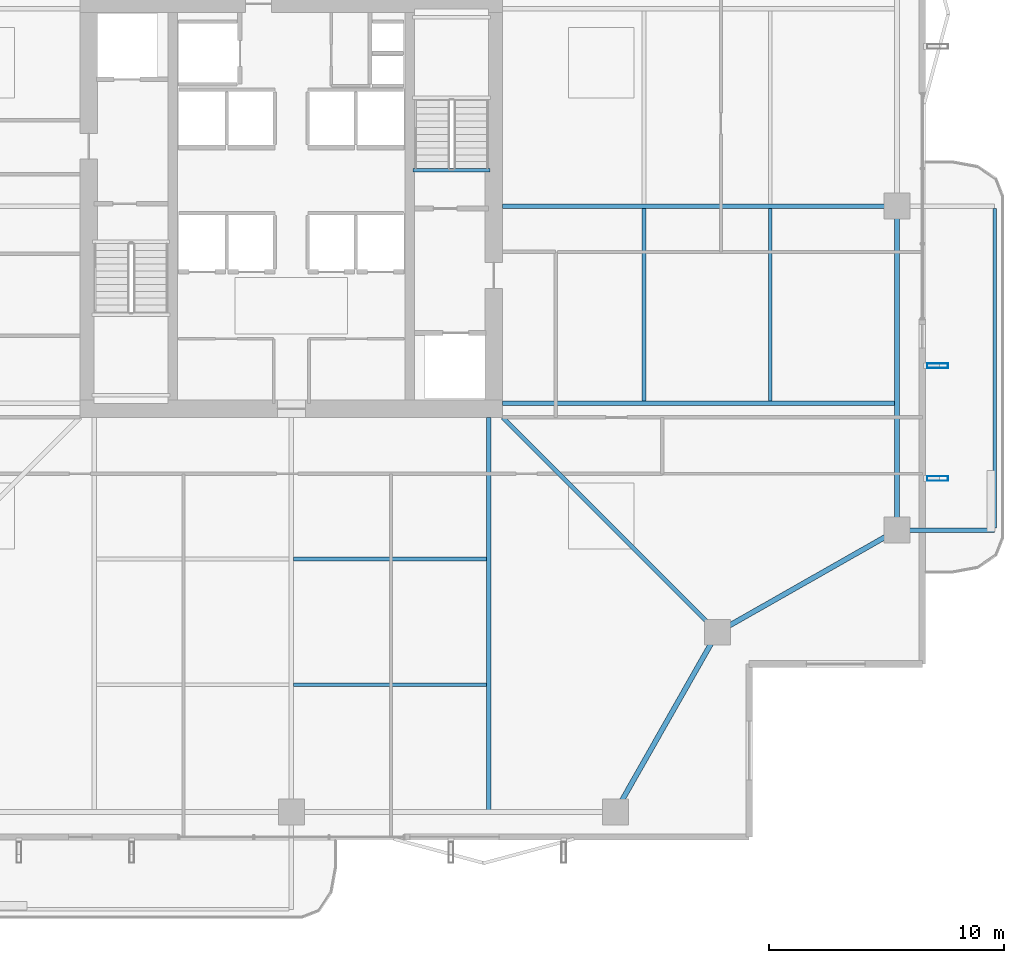
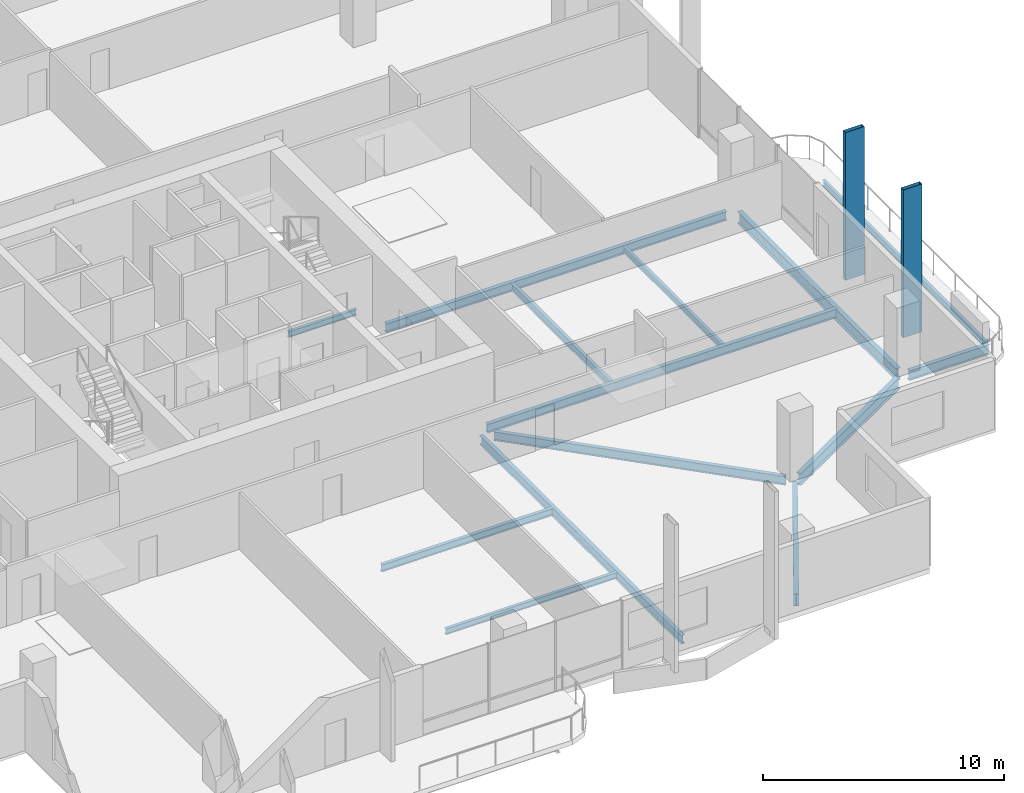
# One storey, part 7 of 24: 14 beams, 2 members.
"""IFC4 building model written with IfcOpenShell, lengths in metres."""

import ifcopenshell
import ifcopenshell.guid

model = None  # the IFC model being written
_history = None  # IfcOwnerHistory: only IFC2X3 demands one
_inside = {}  # id of a spatial element -> (the spatial element, [elements in it])
_under = {}  # id of a project, library or spatial element -> (it, [spatial elements below it])
_declared = {}  # id of a project -> (the project, [libraries it declares])
_typed = {}  # id of a type object -> (the type object, [elements of that type])
_made_of = {}  # id of a material, layer set ... -> (it, [elements and type objects made of it])


def new_model(schema):
    """Start an empty IFC model of exactly this schema.

    Asked for "IFC4X3", IfcOpenShell would pick the latest addendum, in which some entities
    have other attributes; the version numbers below select the first issue.
    IFC2X3 requires an IfcOwnerHistory on every rooted entity: one is made here for all.
    """
    global model, _history
    if schema == "IFC4X3":
        model = ifcopenshell.file(schema_version=(4, 3, 0, 0))
    else:
        model = ifcopenshell.file(schema=schema)
    _inside.clear()
    _under.clear()
    _declared.clear()
    _typed.clear()
    _made_of.clear()
    _history = None
    if model.schema == "IFC2X3":
        org = make("IfcOrganization", Name="unknown")
        user = make(
            "IfcPersonAndOrganization",
            ThePerson=make("IfcPerson", FamilyName="unknown"),
            TheOrganization=org,
        )
        app = make(
            "IfcApplication",
            ApplicationDeveloper=org,
            Version="unknown",
            ApplicationFullName="unknown",
            ApplicationIdentifier="unknown",
        )
        _history = make(
            "IfcOwnerHistory",
            OwningUser=user,
            OwningApplication=app,
            ChangeAction="ADDED",
            CreationDate=0,
        )
    return model


def make(cls, **values):
    """One entity of the class cls with the attributes given. An attribute that is None is left unset."""
    return model.create_entity(
        cls, **{name: value for name, value in values.items() if value is not None}
    )


def rooted(cls, **values):
    """An entity with a GlobalId (a new one), such as an element, a storey or a relation."""
    return make(cls, GlobalId=ifcopenshell.guid.new(), OwnerHistory=_history, **values)


def si_unit(unit_type, name, prefix=None):
    """IfcSIUnit, for example si_unit("LENGTHUNIT", "METRE", prefix="MILLI")."""
    return make("IfcSIUnit", UnitType=unit_type, Prefix=prefix, Name=name)


def assignment(units):
    """IfcUnitAssignment: the units of a project."""
    return None if units is None else make("IfcUnitAssignment", Units=units)


def point(xyz):
    """IfcCartesianPoint."""
    return None if xyz is None else make("IfcCartesianPoint", Coordinates=xyz)


def direction(xyz):
    """IfcDirection."""
    return None if xyz is None else make("IfcDirection", DirectionRatios=xyz)


def frame(location, z_axis=None, x_axis=None):
    """IfcAxis2Placement3D, a coordinate frame: its origin and axes. An axis left out is left unset."""
    return make(
        "IfcAxis2Placement3D",
        Location=point(location),
        Axis=direction(z_axis),
        RefDirection=direction(x_axis),
    )


def frame_2d(location, x_axis=None):
    """IfcAxis2Placement2D, a coordinate frame in the plane: its origin and x axis."""
    return make(
        "IfcAxis2Placement2D", Location=point(location), RefDirection=direction(x_axis)
    )


def origin():
    """The frame at (0, 0, 0) with its axes left unset."""
    return frame((0.0, 0.0, 0.0))


def origin_2d():
    """The frame at (0, 0) in the plane with its x axis left unset."""
    return frame_2d((0.0, 0.0))


def place(relative_to, where):
    """IfcLocalPlacement: puts the frame where relative to a parent placement (None: the world)."""
    return make(
        "IfcLocalPlacement", PlacementRelTo=relative_to, RelativePlacement=where
    )


def context(
    kind, dimensions, precision=None, world=None, true_north=None, identifier=None
):
    """IfcGeometricRepresentationContext, for example the 3D "Model" context."""
    return make(
        "IfcGeometricRepresentationContext",
        ContextIdentifier=identifier,
        ContextType=kind,
        CoordinateSpaceDimension=dimensions,
        Precision=precision,
        WorldCoordinateSystem=world,
        TrueNorth=true_north,
    )


def subcontext(parent, identifier, kind, view, scale=None):
    """IfcGeometricRepresentationSubContext, for example "Body" below "Model"."""
    return make(
        "IfcGeometricRepresentationSubContext",
        ContextIdentifier=identifier,
        ContextType=kind,
        ParentContext=parent,
        TargetScale=scale,
        TargetView=view,
    )


def project(units=None, contexts=None):
    """IfcProject with its units and contexts."""
    return rooted(
        "IfcProject",
        Name="project",
        RepresentationContexts=contexts,
        UnitsInContext=assignment(units),
    )


def spatial(cls, under=None, at=None, **own):
    """A site, building, storey or space (cls), placed at a placement, below another one or the project."""
    s = rooted(cls, ObjectPlacement=at, **own)
    if under is not None:
        _under.setdefault(under.id(), (under, []))[1].append(s)
    return s


def profile(cls, at=None, kind="AREA", **sizes):
    """A parametric profile (cls). Its sizes go by their IFC names, for example OverallWidth=200.0."""
    return make(cls, ProfileType=kind, Position=at, **sizes)


def hollow_rectangle(**sizes):
    """IfcRectangleHollowProfileDef."""
    return profile("IfcRectangleHollowProfileDef", **sizes)


def i_section(**sizes):
    """IfcIShapeProfileDef."""
    return profile("IfcIShapeProfileDef", **sizes)


def extrude(swept, where, along, depth):
    """IfcExtrudedAreaSolid: the profile swept, set in the frame where, extruded along a direction by depth."""
    return make(
        "IfcExtrudedAreaSolid",
        SweptArea=swept,
        Position=where,
        ExtrudedDirection=direction(along),
        Depth=depth,
    )


def shape(context_of_items, identifier, shape_type, items):
    """IfcShapeRepresentation: the items that make up one representation, for example the "Body"."""
    return make(
        "IfcShapeRepresentation",
        ContextOfItems=context_of_items,
        RepresentationIdentifier=identifier,
        RepresentationType=shape_type,
        Items=items,
    )


def material(Name=None, Category=None):
    """IfcMaterial."""
    return make("IfcMaterial", Name=Name, Category=Category)


def material_profile(
    of_material, cross_section, Name=None, Category=None, Priority=None
):
    """IfcMaterialProfile: a cross section and its material."""
    return make(
        "IfcMaterialProfile",
        Name=Name,
        Material=of_material,
        Profile=cross_section,
        Priority=Priority,
        Category=Category,
    )


def profile_set(profiles, Name=None, composite=None):
    """IfcMaterialProfileSet."""
    return make(
        "IfcMaterialProfileSet",
        Name=Name,
        MaterialProfiles=profiles,
        CompositeProfile=composite,
    )


def made_of(thing, what):
    """Note that an element or type object is made of a material, layer set ...; save() writes the relation."""
    if what is not None:
        _made_of.setdefault(what.id(), (what, []))[1].append(thing)
    return thing


def type_object(cls, material=None, **own):
    """A type object (cls), such as IfcWallType, which elements share."""
    return made_of(rooted(cls, **own), material)


def element(
    cls,
    number,
    at=None,
    inside=None,
    cuts=None,
    type_object=None,
    material=None,
    context=None,
    identifier="Body",
    shape_type=None,
    held_by="IfcProductDefinitionShape",
    body=None,
    shapes=None,
    **own,
):
    """One element of the class cls, such as IfcWall. Its Tag is "e" and its number.

    at: its placement. inside: the storey or other place that contains it. cuts: it is an
    opening in that element (IfcRelVoidsElement). A single representation is given by context,
    identifier, shape_type and body (its items); several are given by shapes. held_by: the class
    of the entity that holds the representations. save() writes the other relations.
    """
    e = rooted(cls, Tag="e%d" % number, ObjectPlacement=at, **own)
    if body is not None:
        shapes = [shape(context, identifier, shape_type, body)]
    if shapes is not None:
        e.Representation = make(held_by, Representations=shapes)
    if inside is not None:
        _inside.setdefault(inside.id(), (inside, []))[1].append(e)
    if cuts is not None:
        rooted(
            "IfcRelVoidsElement", RelatingBuildingElement=cuts, RelatedOpeningElement=e
        )
    if type_object is not None:
        _typed.setdefault(type_object.id(), (type_object, []))[1].append(e)
    return made_of(e, material)


def aggregate(whole, parts):
    """IfcRelAggregates: a whole, such as a stair, and the parts it consists of."""
    return rooted("IfcRelAggregates", RelatingObject=whole, RelatedObjects=parts)


def save(model, path):
    """Write the relations noted so far, then the file.

    IfcRelAggregates (storeys below a building ...), IfcRelContainedInSpatialStructure (elements
    in a storey), IfcRelDefinesByType, IfcRelAssociatesMaterial and IfcRelDeclares: one each for
    every whole, place, type object, material and project.
    """
    for whole, parts in _under.values():
        aggregate(whole, parts)
    for where, things in _inside.values():
        rooted(
            "IfcRelContainedInSpatialStructure",
            RelatedElements=things,
            RelatingStructure=where,
        )
    for kind, things in _typed.values():
        rooted("IfcRelDefinesByType", RelatedObjects=things, RelatingType=kind)
    for what, things in _made_of.values():
        rooted("IfcRelAssociatesMaterial", RelatedObjects=things, RelatingMaterial=what)
    for by, libraries in _declared.values():
        rooted("IfcRelDeclares", RelatingContext=by, RelatedDefinitions=libraries)
    model.write(path)


model = new_model("IFC4")

# Units and contexts
model_context = context("Model", 3, precision=1e-05, world=origin(), true_north=direction((0.0, 1.0)))
body_context = subcontext(model_context, "Body", "Model", "MODEL_VIEW")
ifc_project = project(units=[si_unit("LENGTHUNIT", "METRE"), si_unit("AREAUNIT", "SQUARE_METRE"), si_unit("VOLUMEUNIT", "CUBIC_METRE"), si_unit("PLANEANGLEUNIT", "RADIAN"), si_unit("MASSUNIT", "GRAM", prefix="KILO")], contexts=[model_context])

# Site, building, storey
site_placement = place(None, origin())
site = spatial("IfcSite", under=ifc_project, at=site_placement, CompositionType="ELEMENT")
building_placement = place(site_placement, origin())
building = spatial("IfcBuilding", under=site, at=building_placement, Name="Belovzor Exchange Tower", CompositionType="ELEMENT")
storey_placement = place(building_placement, frame((0.0, 0.0, 218.699951171875)))
storey = spatial("IfcBuildingStorey", under=building, at=storey_placement, Name="L54", CompositionType="ELEMENT", Elevation=218.699951171875)

# Beams
ifc_material_1 = material(Name="Steel S355", Category="steel")
ifc_material_profile_1 = material_profile(ifc_material_1, i_section(OverallWidth=0.199951171875, OverallDepth=0.5, WebThickness=0.01025390625, FlangeThickness=0.01611328125, at=origin_2d()))
ifc_profile_set_1 = profile_set([ifc_material_profile_1], Name="Steel S355")
beam_type_1 = type_object("IfcBeamType", Name="Planted Balcony Cantilever Beam IPE 500", PredefinedType="BEAM", material=ifc_profile_set_1)
beam_1_placement = place(storey_placement, frame((54.903076171875, 15.0, -0.5), z_axis=(1.0, 0.0, 0.0), x_axis=(0.0, 1.0, 0.0)))
element("IfcBeam", 1, at=beam_1_placement, inside=storey, type_object=beam_type_1, Name="BC-500 Planted Balcony Cantilever Beam IPE 500", PredefinedType="BEAM", context=body_context, shape_type="SweptSolid", body=[
    extrude(i_section(OverallWidth=0.199951171875, OverallDepth=0.5, WebThickness=0.01025390625, FlangeThickness=0.01611328125, at=origin_2d()), origin(), (0.0, 0.0, 1.0), 3.849853515625),
])
ifc_material_2 = material(Name="Steel S355", Category="steel")
ifc_material_profile_2 = material_profile(ifc_material_2, i_section(OverallWidth=0.14990234375, OverallDepth=0.300048828125, WebThickness=0.007080078125, FlangeThickness=0.0107421875, at=origin_2d()))
ifc_profile_set_2 = profile_set([ifc_material_profile_2], Name="Steel S355")
beam_type_2 = type_object("IfcBeamType", Name="Planted Balcony Fascia Edge Beam IPE 300", PredefinedType="BEAM", material=ifc_profile_set_2)
beam_2_placement = place(storey_placement, frame((58.7529296875, 15.10009765625, -0.39990234375), z_axis=(0.0, 1.0, 0.0), x_axis=(-1.0, 0.0, 0.0)))
element("IfcBeam", 2, at=beam_2_placement, inside=storey, type_object=beam_type_2, Name="BC-300 Planted Balcony Fascia Edge Beam IPE 300", PredefinedType="BEAM", context=body_context, shape_type="SweptSolid", body=[
    extrude(i_section(OverallWidth=0.14990234375, OverallDepth=0.300048828125, WebThickness=0.007080078125, FlangeThickness=0.0107421875, at=origin_2d()), origin(), (0.0, 0.0, 1.0), 13.599853515625),
])
ifc_material_3 = material(Name="Steel S355", Category="steel")
ifc_material_profile_3 = material_profile(ifc_material_3, i_section(OverallWidth=0.169921875, OverallDepth=0.360107421875, WebThickness=0.008056640625, FlangeThickness=0.0126953125, at=origin_2d()))
ifc_profile_set_3 = profile_set([ifc_material_profile_3], Name="Steel S355")
beam_type_3 = type_object("IfcBeamType", Name="Secondary Infill Floor Joist IPE 360", PredefinedType="BEAM", material=ifc_profile_set_3)
for number, where, z_axis, x_axis, name in (
    (3, (28.89501953125, 13.77197265625, -0.429931640625), (1.0, 0.0, 0.0), (0.0, 1.0, 0.0), "FJ-360 Secondary Infill Floor Joist IPE 360"),
    (4, (43.827880859375, 20.4951171875, -0.429931640625), (0.0, 1.0, 0.0), (-1.0, 0.0, 0.0), "FJ-360 Secondary Infill Floor Joist IPE 360"),
):
    element("IfcBeam", number, at=place(storey_placement, frame(where, z_axis=z_axis, x_axis=x_axis)), inside=storey, type_object=beam_type_3, Name=name, PredefinedType="BEAM", context=body_context, shape_type="SweptSolid", body=[
        extrude(i_section(OverallWidth=0.169921875, OverallDepth=0.360107421875, WebThickness=0.008056640625, FlangeThickness=0.0126953125, at=origin_2d()), origin(), (0.0, 0.0, 1.0), 8.2099609375),
    ])
ifc_material_4 = material(Name="Steel S355", Category="steel")
ifc_material_profile_4 = material_profile(ifc_material_4, i_section(OverallWidth=0.14990234375, OverallDepth=0.300048828125, WebThickness=0.007080078125, FlangeThickness=0.0107421875, at=origin_2d()))
ifc_profile_set_4 = profile_set([ifc_material_profile_4], Name="Steel S355")
beam_type_4 = type_object("IfcBeamType", Name="Secondary Trim Floor Joist IPE 300", PredefinedType="BEAM", material=ifc_profile_set_4)
beam_3_placement = place(storey_placement, frame((37.260009765625, 30.320068359375, -0.39990234375), z_axis=(-1.0, 0.0, 0.0), x_axis=(0.0, -1.0, 0.0)))
element("IfcBeam", 5, at=beam_3_placement, inside=storey, type_object=beam_type_4, Name="FJ-300 Secondary Trim Floor Joist IPE 300", PredefinedType="BEAM", context=body_context, shape_type="SweptSolid", body=[
    extrude(i_section(OverallWidth=0.14990234375, OverallDepth=0.300048828125, WebThickness=0.007080078125, FlangeThickness=0.0107421875, at=origin_2d()), origin(), (0.0, 0.0, 1.0), 3.27001953125),
])
for number, where, z_axis, x_axis, name in (
    (6, (28.89501953125, 8.4130859375, -0.39990234375), (1.0, 0.0, 0.0), (0.0, 1.0, 0.0), "FJ-300 Secondary Trim Floor Joist IPE 300"),
    (7, (49.18701171875, 20.4951171875, -0.39990234375), (0.0, 1.0, 0.0), (-1.0, 0.0, 0.0), "FJ-300 Secondary Trim Floor Joist IPE 300"),
):
    element("IfcBeam", number, at=place(storey_placement, frame(where, z_axis=z_axis, x_axis=x_axis)), inside=storey, type_object=beam_type_4, Name=name, PredefinedType="BEAM", context=body_context, shape_type="SweptSolid", body=[
        extrude(i_section(OverallWidth=0.14990234375, OverallDepth=0.300048828125, WebThickness=0.007080078125, FlangeThickness=0.0107421875, at=origin_2d()), origin(), (0.0, 0.0, 1.0), 8.2099609375),
    ])

# Members
ifc_material_5 = material(Name="Extruded Architectural Terracotta on Steel S355 Carrier", Category="masonry")
ifc_material_profile_5 = material_profile(ifc_material_5, hollow_rectangle(XDim=0.199951171875, YDim=0.89990234375, WallThickness=0.011962890625, at=origin_2d()))
ifc_profile_set_5 = profile_set([ifc_material_profile_5], Name="Extruded Architectural Terracotta on Steel S355 Carrier")
member_type = type_object("IfcMemberType", Name="Sweeping Terracotta Baguette Fin Assembly 950", PredefinedType="USERDEFINED", material=ifc_profile_set_5)
for number, where, z_axis, x_axis, name in (
    (8, (56.324951171875, 17.199951171875, -0.25), (0.0, 0.0, 1.0), (0.0, 1.0, 0.0), "FIN-TC095 Terracotta Facade Fin L54 E1"),
    (9, (56.324951171875, 22.0, -0.25), (0.0, 0.0, 1.0), (0.0, 1.0, 0.0), "FIN-TC095 Terracotta Facade Fin L54 E2"),
):
    element("IfcMember", number, at=place(storey_placement, frame(where, z_axis=z_axis, x_axis=x_axis)), inside=storey, type_object=member_type, Name=name, ObjectType="FIN", PredefinedType="USERDEFINED", context=body_context, shape_type="SweptSolid", body=[
        extrude(hollow_rectangle(XDim=0.199951171875, YDim=0.89990234375, WallThickness=0.011962890625, at=origin_2d()), origin(), (0.0, 0.0, 1.0), 7.5),
    ])

# Beams
ifc_material_6 = material(Name="Steel S355", Category="steel")
ifc_material_profile_6 = material_profile(ifc_material_6, i_section(OverallWidth=0.18994140625, OverallDepth=0.449951171875, WebThickness=0.009521484375, FlangeThickness=0.0146484375, at=origin_2d()))
ifc_profile_set_6 = profile_set([ifc_material_profile_6], Name="Steel S355")
beam_type_5 = type_object("IfcBeamType", Name="Zone 2-4 Radial Composite Floor Beam IPE 450", PredefinedType="BEAM", material=ifc_profile_set_6)
beam_4_placement = place(storey_placement, frame((37.199951171875, 19.800048828125, -0.474853515625), z_axis=(0.0, -1.0, 0.0), x_axis=(1.0, 0.0, 0.0)))
element("IfcBeam", 10, at=beam_4_placement, inside=storey, type_object=beam_type_5, Name="FB-450 Zone 2-4 Radial Composite Floor Beam IPE 450", PredefinedType="BEAM", context=body_context, shape_type="SweptSolid", body=[
    extrude(i_section(OverallWidth=0.18994140625, OverallDepth=0.449951171875, WebThickness=0.009521484375, FlangeThickness=0.0146484375, at=origin_2d()), origin(), (0.0, 0.0, 1.0), 16.7451171875),
])
beam_5_placement = place(storey_placement, frame((37.800048828125, 20.39990234375, -0.474853515625), z_axis=(1.0, 0.0, 0.0), x_axis=(0.0, 1.0, 0.0)))
element("IfcBeam", 11, at=beam_5_placement, inside=storey, type_object=beam_type_5, Name="FB-450 Zone 2-4 Radial Composite Floor Beam IPE 450", PredefinedType="BEAM", context=body_context, shape_type="SweptSolid", body=[
    extrude(i_section(OverallWidth=0.18994140625, OverallDepth=0.449951171875, WebThickness=0.009521484375, FlangeThickness=0.0146484375, at=origin_2d()), origin(), (0.0, 0.0, 1.0), 16.744873046875),
])
beam_6_placement = place(storey_placement, frame((37.800048828125, 28.800048828125, -0.474853515625), z_axis=(1.0, 0.0, 0.0), x_axis=(0.0, 1.0, 0.0)))
element("IfcBeam", 12, at=beam_6_placement, inside=storey, type_object=beam_type_5, Name="FB-450 Zone 2-4 Radial Composite Floor Beam IPE 450", PredefinedType="BEAM", context=body_context, shape_type="SweptSolid", body=[
    extrude(i_section(OverallWidth=0.18994140625, OverallDepth=0.449951171875, WebThickness=0.009521484375, FlangeThickness=0.0146484375, at=origin_2d()), origin(), (0.0, 0.0, 1.0), 16.31591796875),
])
beam_7_placement = place(storey_placement, frame((37.800048828125, 19.800048828125, -0.474853515625), z_axis=(0.707106781187, -0.707106781187, 0.0), x_axis=(0.707106781187, 0.707106781187, 0.0)))
element("IfcBeam", 13, at=beam_7_placement, inside=storey, type_object=beam_type_5, Name="FB-450 Zone 2-4 Radial Composite Floor Beam IPE 450", PredefinedType="BEAM", context=body_context, shape_type="SweptSolid", body=[
    extrude(i_section(OverallWidth=0.18994140625, OverallDepth=0.449951171875, WebThickness=0.009521484375, FlangeThickness=0.0146484375, at=origin_2d()), origin(), (0.0, 0.0, 1.0), 12.551025390625),
])
ifc_material_7 = material(Name="Steel S355", Category="steel")
ifc_material_profile_7 = material_profile(ifc_material_7, i_section(OverallWidth=0.219970703125, OverallDepth=0.60009765625, WebThickness=0.011962890625, FlangeThickness=0.01904296875, at=origin_2d()))
ifc_profile_set_7 = profile_set([ifc_material_profile_7], Name="Steel S355")
beam_type_6 = type_object("IfcBeamType", Name="Zone 4 Flare Primary Girder IPE 600", PredefinedType="BEAM", material=ifc_profile_set_7)
for number, where, z_axis, x_axis, name in (
    (14, (42.75, 3.262939453125, -0.550048828125), (0.494222323641, 0.869335547884, 0.0), (-0.869335547884, 0.494222323641, 0.0), "FG-Z4 Zone 4 Flare Primary Girder IPE 600"),
    (15, (47.212890625, 10.800048828125, -0.550048828125), (0.869335547884, 0.494222323641, 0.0), (-0.494222323641, 0.869335547884, 0.0), "FG-Z4 Zone 4 Flare Primary Girder IPE 600"),
):
    element("IfcBeam", number, at=place(storey_placement, frame(where, z_axis=z_axis, x_axis=x_axis)), inside=storey, type_object=beam_type_6, Name=name, PredefinedType="BEAM", context=body_context, shape_type="SweptSolid", body=[
        extrude(i_section(OverallWidth=0.219970703125, OverallDepth=0.60009765625, WebThickness=0.011962890625, FlangeThickness=0.01904296875, at=origin_2d()), origin(), (0.0, 0.0, 1.0), 8.19482421875),
    ])
beam_8_placement = place(storey_placement, frame((54.60009765625, 15.302978515625, -0.550048828125), z_axis=(0.0, 1.0, 0.0), x_axis=(-1.0, 0.0, 0.0)))
element("IfcBeam", 16, at=beam_8_placement, inside=storey, type_object=beam_type_6, Name="FG-Z4 Zone 4 Flare Primary Girder IPE 600", PredefinedType="BEAM", context=body_context, shape_type="SweptSolid", body=[
    extrude(i_section(OverallWidth=0.219970703125, OverallDepth=0.60009765625, WebThickness=0.011962890625, FlangeThickness=0.01904296875, at=origin_2d()), origin(), (0.0, 0.0, 1.0), 13.195068359375),
])

save(model, "model.ifc")
